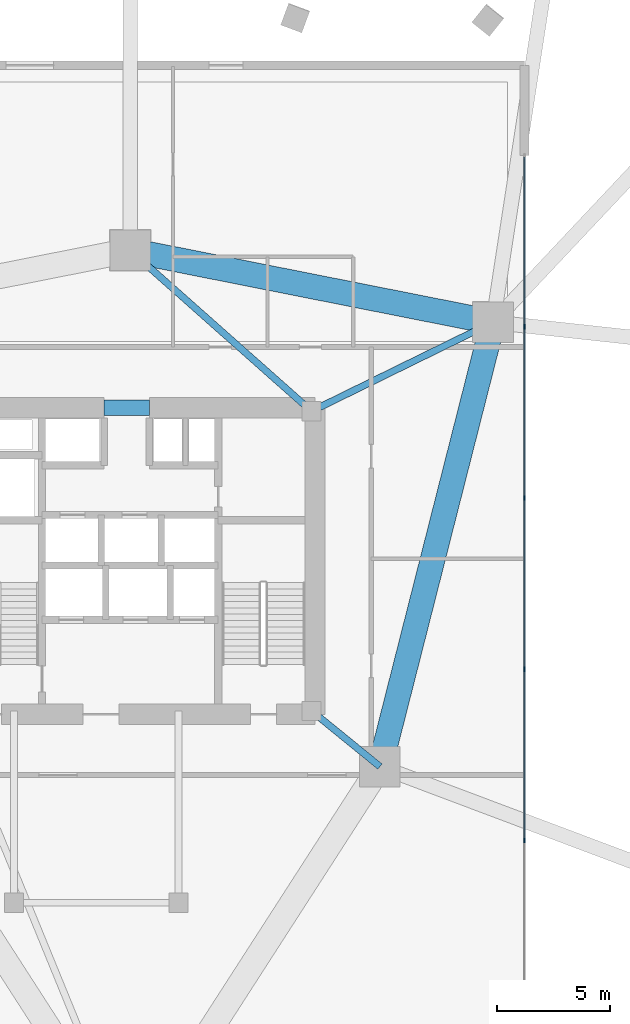
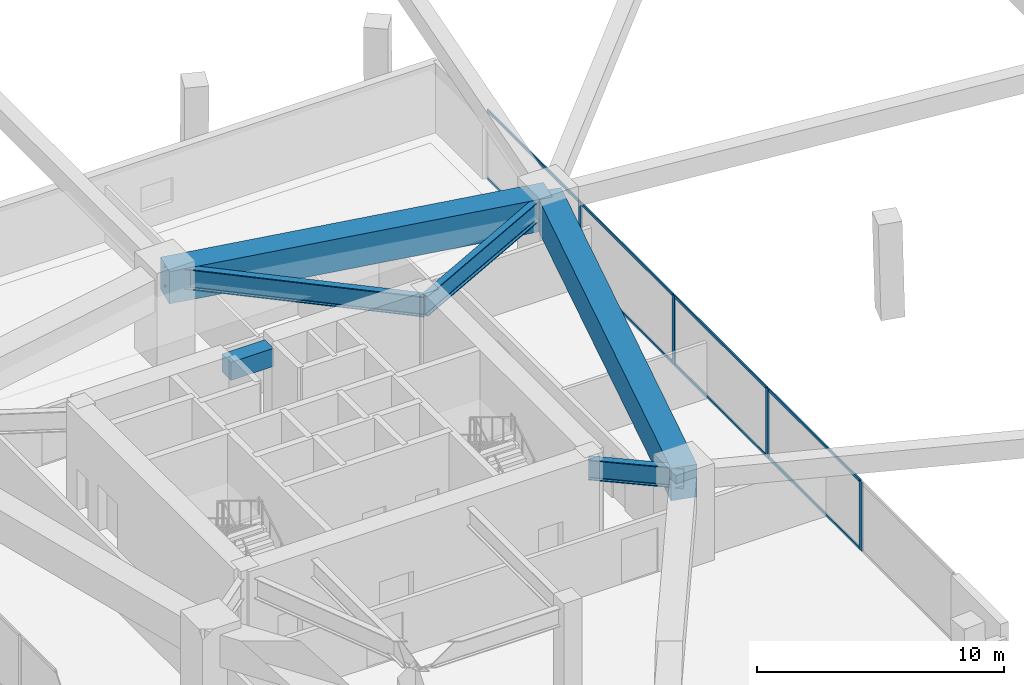
# One storey, part 7 of 15: 12 members, 6 beams, 1 element without a shape of its own.
"""IFC4 building model written with IfcOpenShell, lengths in metres."""

from ifc_helpers import new_model, si_unit, direction, frame, origin, origin_2d, place, context, subcontext, project, spatial, rectangle, i_section, extrude, material, layer, layer_set, material_profile, profile_set, type_object, element, aggregate, save


model = new_model("IFC4")

# Units and contexts
model_context = context("Model", 3, precision=1e-05, world=origin(), true_north=direction((0.0, 1.0)))
body_context = subcontext(model_context, "Body", "Model", "MODEL_VIEW")
ifc_project = project(units=[si_unit("LENGTHUNIT", "METRE"), si_unit("AREAUNIT", "SQUARE_METRE"), si_unit("VOLUMEUNIT", "CUBIC_METRE"), si_unit("PLANEANGLEUNIT", "RADIAN"), si_unit("MASSUNIT", "GRAM", prefix="KILO")], contexts=[model_context])

# Site, building, storey
site_placement = place(None, origin())
site = spatial("IfcSite", under=ifc_project, at=site_placement, CompositionType="ELEMENT")
building_placement = place(site_placement, origin())
building = spatial("IfcBuilding", under=site, at=building_placement, Name="Talyreon Biosciences Tower", CompositionType="ELEMENT")
storey_placement = place(building_placement, frame((0.0, 0.0, 5.39990234375)))
storey = spatial("IfcBuildingStorey", under=building, at=storey_placement, Name="L01", CompositionType="ELEMENT", Elevation=5.39990234375)

# Curtain wall, members
ifc_material_1 = material(Name="Thermally broken aluminium and low-E glazing", Category="aluminium")
ifc_layer = layer(ifc_material_1, 0.219970703125)
ifc_layer_set = layer_set([ifc_layer], Name="Thermally broken aluminium and low-E glazing")
curtain_wall_type = type_object("IfcCurtainWallType", Name="CurtainWall_PodiumDoubleHeight", PredefinedType="NOTDEFINED", material=ifc_layer_set)
curtain_wall_placement = place(storey_placement, origin())
curtain_wall = element("IfcCurtainWall", 1, at=curtain_wall_placement, inside=storey, type_object=curtain_wall_type, Name="L01 Unitised Curtain Wall FCW-L01-E", PredefinedType="NOTDEFINED")
ifc_material_2 = material(Name="Anodised thermally broken aluminium", Category="aluminium")
ifc_material_profile_1 = material_profile(ifc_material_2, rectangle(XDim=0.074951171875, YDim=0.2099609375, at=origin_2d()), Name="ALUM MULLION 75x210")
ifc_profile_set_1 = profile_set([ifc_material_profile_1], Name="Anodised thermally broken aluminium")
member_type_1 = type_object("IfcMemberType", Name="CWMullion_75x210", PredefinedType="MULLION", material=ifc_profile_set_1)
member_1_placement = place(storey_placement, frame((83.5, 78.39990234375, 0.0), z_axis=(0.0, 0.0, 1.0), x_axis=(1.0, 0.0, 0.0)))
member_1 = element("IfcMember", 2, at=member_1_placement, type_object=member_type_1, Name="CW1 mullion 2", PredefinedType="MULLION", context=body_context, shape_type="SweptSolid", body=[
    extrude(rectangle(XDim=0.074951171875, YDim=0.2099609375, at=origin_2d()), origin(), (0.0, 0.0, 1.0), 3.43017578125),
])
member_2_placement = place(storey_placement, frame((83.5, 70.800048828125, 0.0), z_axis=(0.0, 0.0, 1.0), x_axis=(1.0, 0.0, 0.0)))
member_2 = element("IfcMember", 3, at=member_2_placement, type_object=member_type_1, Name="CW1 mullion 3", PredefinedType="MULLION", context=body_context, shape_type="SweptSolid", body=[
    extrude(rectangle(XDim=0.074951171875, YDim=0.2099609375, at=origin_2d()), origin(), (0.0, 0.0, 1.0), 3.43017578125),
])
member_3_placement = place(storey_placement, frame((83.5, 63.199951171875, 0.0), z_axis=(0.0, 0.0, 1.0), x_axis=(1.0, 0.0, 0.0)))
member_3 = element("IfcMember", 4, at=member_3_placement, type_object=member_type_1, Name="CW1 mullion 4", PredefinedType="MULLION", context=body_context, shape_type="SweptSolid", body=[
    extrude(rectangle(XDim=0.074951171875, YDim=0.2099609375, at=origin_2d()), origin(), (0.0, 0.0, 1.0), 3.43017578125),
])
member_4_placement = place(storey_placement, frame((83.5, 55.60009765625, 0.0), z_axis=(0.0, 0.0, 1.0), x_axis=(1.0, 0.0, 0.0)))
member_4 = element("IfcMember", 5, at=member_4_placement, type_object=member_type_1, Name="CW1 mullion 5", PredefinedType="MULLION", context=body_context, shape_type="SweptSolid", body=[
    extrude(rectangle(XDim=0.074951171875, YDim=0.2099609375, at=origin_2d()), origin(), (0.0, 0.0, 1.0), 3.43017578125),
])
ifc_material_profile_2 = material_profile(ifc_material_2, rectangle(XDim=0.06494140625, YDim=0.139892578125, at=origin_2d()), Name="ALUM TRANSOM 65x140")
ifc_profile_set_2 = profile_set([ifc_material_profile_2], Name="Anodised thermally broken aluminium")
member_type_2 = type_object("IfcMemberType", Name="CWTransom_65x140", PredefinedType="USERDEFINED", material=ifc_profile_set_2)
member_5_placement = place(storey_placement, frame((83.5, 85.925048828125, 0.03271484375), z_axis=(0.0, -1.0, 0.0), x_axis=(1.0, 0.0, 0.0)))
member_5 = element("IfcMember", 6, at=member_5_placement, type_object=member_type_2, Name="CW1 transom 1.1", ObjectType="TRANSOM", PredefinedType="USERDEFINED", context=body_context, shape_type="SweptSolid", body=[
    extrude(rectangle(XDim=0.06494140625, YDim=0.139892578125, at=origin_2d()), origin(), (0.0, 0.0, 1.0), 7.487548828125),
])
member_6_placement = place(storey_placement, frame((83.5, 85.925048828125, 3.397705078125), z_axis=(0.0, -1.0, 0.0), x_axis=(1.0, 0.0, 0.0)))
member_6 = element("IfcMember", 7, at=member_6_placement, type_object=member_type_2, Name="CW1 transom 1.2", ObjectType="TRANSOM", PredefinedType="USERDEFINED", context=body_context, shape_type="SweptSolid", body=[
    extrude(rectangle(XDim=0.06494140625, YDim=0.139892578125, at=origin_2d()), origin(), (0.0, 0.0, 1.0), 7.487548828125),
])
member_7_placement = place(storey_placement, frame((83.5, 78.362548828125, 0.03271484375), z_axis=(0.0, -1.0, 0.0), x_axis=(1.0, 0.0, 0.0)))
member_7 = element("IfcMember", 8, at=member_7_placement, type_object=member_type_2, Name="CW1 transom 2.1", ObjectType="TRANSOM", PredefinedType="USERDEFINED", context=body_context, shape_type="SweptSolid", body=[
    extrude(rectangle(XDim=0.06494140625, YDim=0.139892578125, at=origin_2d()), origin(), (0.0, 0.0, 1.0), 7.525146484375),
])
member_8_placement = place(storey_placement, frame((83.5, 78.362548828125, 3.397705078125), z_axis=(0.0, -1.0, 0.0), x_axis=(1.0, 0.0, 0.0)))
member_8 = element("IfcMember", 9, at=member_8_placement, type_object=member_type_2, Name="CW1 transom 2.2", ObjectType="TRANSOM", PredefinedType="USERDEFINED", context=body_context, shape_type="SweptSolid", body=[
    extrude(rectangle(XDim=0.06494140625, YDim=0.139892578125, at=origin_2d()), origin(), (0.0, 0.0, 1.0), 7.525146484375),
])
member_9_placement = place(storey_placement, frame((83.5, 70.762451171875, 0.03271484375), z_axis=(0.0, -1.0, 0.0), x_axis=(1.0, 0.0, 0.0)))
member_9 = element("IfcMember", 10, at=member_9_placement, type_object=member_type_2, Name="CW1 transom 3.1", ObjectType="TRANSOM", PredefinedType="USERDEFINED", context=body_context, shape_type="SweptSolid", body=[
    extrude(rectangle(XDim=0.06494140625, YDim=0.139892578125, at=origin_2d()), origin(), (0.0, 0.0, 1.0), 7.52490234375),
])
member_10_placement = place(storey_placement, frame((83.5, 70.762451171875, 3.397705078125), z_axis=(0.0, -1.0, 0.0), x_axis=(1.0, 0.0, 0.0)))
member_10 = element("IfcMember", 11, at=member_10_placement, type_object=member_type_2, Name="CW1 transom 3.2", ObjectType="TRANSOM", PredefinedType="USERDEFINED", context=body_context, shape_type="SweptSolid", body=[
    extrude(rectangle(XDim=0.06494140625, YDim=0.139892578125, at=origin_2d()), origin(), (0.0, 0.0, 1.0), 7.52490234375),
])
member_11_placement = place(storey_placement, frame((83.5, 63.16259765625, 0.03271484375), z_axis=(0.0, -1.0, 0.0), x_axis=(1.0, 0.0, 0.0)))
member_11 = element("IfcMember", 12, at=member_11_placement, type_object=member_type_2, Name="CW1 transom 4.1", ObjectType="TRANSOM", PredefinedType="USERDEFINED", context=body_context, shape_type="SweptSolid", body=[
    extrude(rectangle(XDim=0.06494140625, YDim=0.139892578125, at=origin_2d()), origin(), (0.0, 0.0, 1.0), 7.525146484375),
])
member_12_placement = place(storey_placement, frame((83.5, 63.16259765625, 3.397705078125), z_axis=(0.0, -1.0, 0.0), x_axis=(1.0, 0.0, 0.0)))
member_12 = element("IfcMember", 13, at=member_12_placement, type_object=member_type_2, Name="CW1 transom 4.2", ObjectType="TRANSOM", PredefinedType="USERDEFINED", context=body_context, shape_type="SweptSolid", body=[
    extrude(rectangle(XDim=0.06494140625, YDim=0.139892578125, at=origin_2d()), origin(), (0.0, 0.0, 1.0), 7.525146484375),
])
aggregate(curtain_wall, [member_1, member_2, member_3, member_4, member_5, member_6, member_7, member_8, member_9, member_10, member_11, member_12])

# Beams
ifc_material_3 = material(Name="Concrete C60/75", Category="concrete")
ifc_material_profile_3 = material_profile(ifc_material_3, rectangle(XDim=0.699951171875, YDim=0.89990234375, at=origin_2d()), Name="RCB 700x900")
ifc_profile_set_3 = profile_set([ifc_material_profile_3], Name="Concrete C60/75")
beam_type_1 = type_object("IfcBeamType", Name="CoreCouplingLintel_700x900", PredefinedType="LINTEL", material=ifc_profile_set_3)
beam_1_placement = place(storey_placement, frame((64.85009765625, 74.800048828125, 3.9501953125), z_axis=(1.0, 0.0, 0.0), x_axis=(0.0, 1.0, 0.0)))
element("IfcBeam", 14, at=beam_1_placement, inside=storey, type_object=beam_type_1, Name="L01 Core Coupling Lintel", PredefinedType="LINTEL", context=body_context, shape_type="SweptSolid", body=[
    extrude(rectangle(XDim=0.699951171875, YDim=0.89990234375, at=origin_2d()), origin(), (0.0, 0.0, 1.0), 2.0),
])
ifc_material_4 = material(Name="Steel SM420", Category="steel")
ifc_material_profile_4 = material_profile(ifc_material_4, i_section(OverallWidth=0.302001953125, OverallDepth=1.008056640625, WebThickness=0.02099609375, FlangeThickness=0.0400390625, FilletRadius=0.030029296875, at=origin_2d()), Name="HE1000M")
ifc_profile_set_4 = profile_set([ifc_material_profile_4], Name="Steel SM420")
beam_type_2 = type_object("IfcBeamType", Name="SteelGirder_HE1000M", PredefinedType="BEAM", material=ifc_profile_set_4)
beam_2_placement = place(storey_placement, frame((74.050048828125, 61.35009765625, 3.89599609375), z_axis=(0.775755154013, -0.631034025249, 0.0), x_axis=(0.631034025249, 0.775755154013, 0.0)))
element("IfcBeam", 15, at=beam_2_placement, inside=storey, type_object=beam_type_2, Name="L01 Radial Primary Girder 2", PredefinedType="BEAM", context=body_context, shape_type="SweptSolid", body=[
    extrude(i_section(OverallWidth=0.302001953125, OverallDepth=1.008056640625, WebThickness=0.02099609375, FlangeThickness=0.0400390625, FilletRadius=0.030029296875, at=origin_2d()), origin(), (0.0, 0.0, 1.0), 3.913818359375),
])
beam_3_placement = place(storey_placement, frame((74.050048828125, 74.64990234375, 3.89599609375), z_axis=(0.897852360314, 0.440296648952, 0.0), x_axis=(-0.440296648952, 0.897852360314, 0.0)))
element("IfcBeam", 16, at=beam_3_placement, inside=storey, type_object=beam_type_2, Name="L01 Radial Primary Girder 3", PredefinedType="BEAM", context=body_context, shape_type="SweptSolid", body=[
    extrude(i_section(OverallWidth=0.302001953125, OverallDepth=1.008056640625, WebThickness=0.02099609375, FlangeThickness=0.0400390625, FilletRadius=0.030029296875, at=origin_2d()), origin(), (0.0, 0.0, 1.0), 8.96826171875),
])
beam_4_placement = place(storey_placement, frame((74.050048828125, 74.64990234375, 3.89599609375), z_axis=(-0.748178733955, 0.663497235908, 0.0), x_axis=(-0.663497235908, -0.748178733955, 0.0)))
element("IfcBeam", 17, at=beam_4_placement, inside=storey, type_object=beam_type_2, Name="L01 Radial Primary Girder 4", PredefinedType="BEAM", context=body_context, shape_type="SweptSolid", body=[
    extrude(i_section(OverallWidth=0.302001953125, OverallDepth=1.008056640625, WebThickness=0.02099609375, FlangeThickness=0.0400390625, FilletRadius=0.030029296875, at=origin_2d()), origin(), (0.0, 0.0, 1.0), 10.759521484375),
])
ifc_material_5 = material(Name="Concrete C50/60", Category="concrete")
ifc_material_profile_5 = material_profile(ifc_material_5, rectangle(XDim=1.10009765625, YDim=1.60009765625, at=origin_2d()), Name="RCB 1100x1600")
ifc_profile_set_5 = profile_set([ifc_material_profile_5], Name="Concrete C50/60")
beam_type_3 = type_object("IfcBeamType", Name="TransferGirder_1100x1600", PredefinedType="T_BEAM", material=ifc_profile_set_5)
beam_5_placement = place(storey_placement, frame((77.086181640625, 58.88037109375, 3.60009765625), z_axis=(0.246537082299, 0.969133358755, 0.0), x_axis=(-0.969133358755, 0.246537082299, 0.0)))
element("IfcBeam", 18, at=beam_5_placement, inside=storey, type_object=beam_type_3, Name="L01 Mega-Ring Girder 2", PredefinedType="T_BEAM", context=body_context, shape_type="SweptSolid", body=[
    extrude(rectangle(XDim=1.10009765625, YDim=1.60009765625, at=origin_2d()), origin(), (0.0, 0.0, 1.0), 20.34619140625),
])
beam_6_placement = place(storey_placement, frame((82.102294921875, 78.5986328125, 3.60009765625), z_axis=(-0.980933730698, 0.194342522311, 0.0), x_axis=(-0.194342522311, -0.980933730698, 0.0)))
element("IfcBeam", 19, at=beam_6_placement, inside=storey, type_object=beam_type_3, Name="L01 Mega-Ring Girder 3", PredefinedType="T_BEAM", context=body_context, shape_type="SweptSolid", body=[
    extrude(rectangle(XDim=1.10009765625, YDim=1.60009765625, at=origin_2d()), origin(), (0.0, 0.0, 1.0), 16.415283203125),
])

save(model, "model.ifc")
